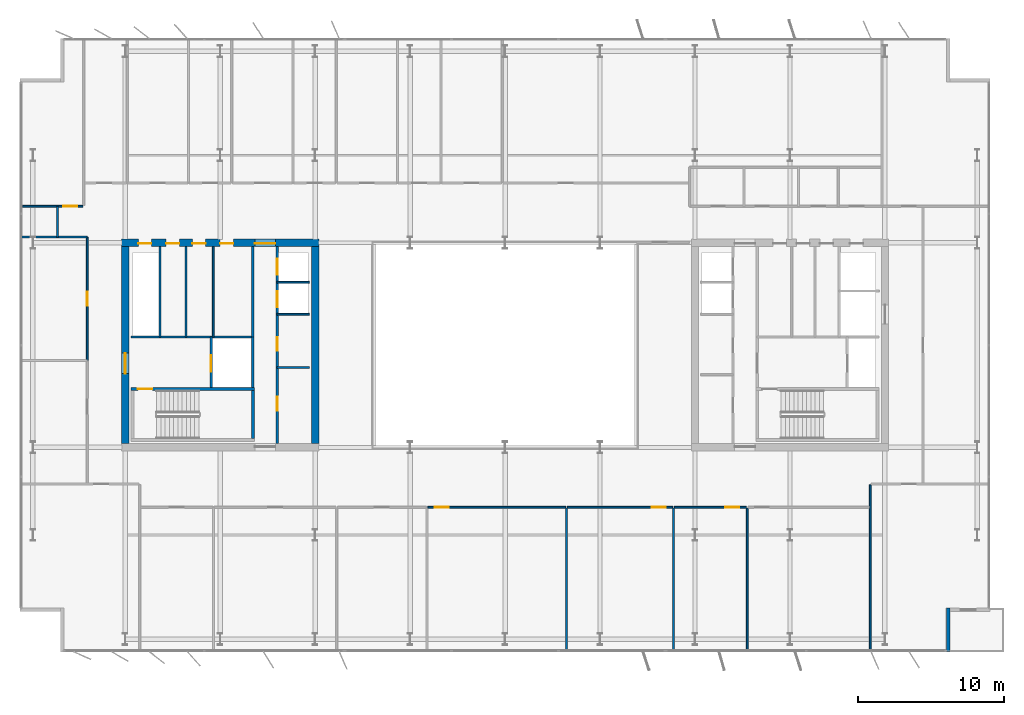
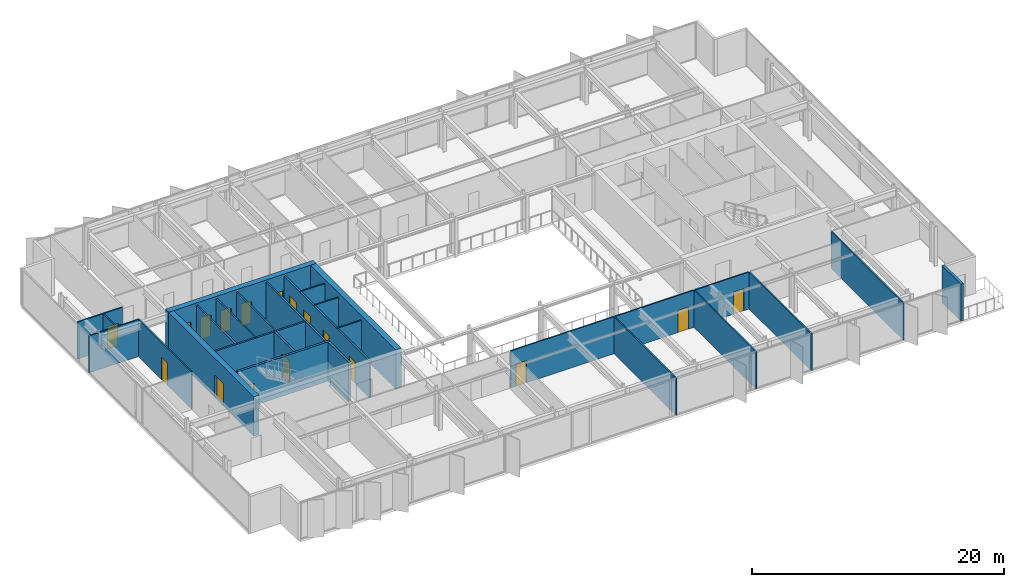
# One storey, part 17 of 24: 28 walls, 17 doors, 17 openings.
"""IFC4 building model written with IfcOpenShell, lengths in metres."""

from ifc_helpers import new_model, si_unit, direction, frame, frame_2d, origin, place, context, subcontext, project, spatial, rectangle, extrude, material, layer, layer_set, type_object, element, fill, save


model = new_model("IFC4")

# Units and contexts
model_context = context("Model", 3, precision=1e-05, world=origin(), true_north=direction((0.0, 1.0)))
body_context = subcontext(model_context, "Body", "Model", "MODEL_VIEW")
ifc_project = project(units=[si_unit("LENGTHUNIT", "METRE"), si_unit("AREAUNIT", "SQUARE_METRE"), si_unit("VOLUMEUNIT", "CUBIC_METRE"), si_unit("PLANEANGLEUNIT", "RADIAN"), si_unit("MASSUNIT", "GRAM", prefix="KILO")], contexts=[model_context])

# Site, building, storey
site_placement = place(None, origin())
site = spatial("IfcSite", under=ifc_project, at=site_placement, CompositionType="ELEMENT")
building_placement = place(site_placement, origin())
building = spatial("IfcBuilding", under=site, at=building_placement, Name="Putna Gate Headquarters", CompositionType="ELEMENT")
storey_placement = place(building_placement, frame((0.0, 0.0, 248.0)))
storey = spatial("IfcBuildingStorey", under=building, at=storey_placement, Name="L62", CompositionType="ELEMENT", Elevation=248.0)

# Wall, openings, doors
ifc_material_1 = material(Name="Concrete C50/60", Category="concrete")
ifc_layer_1 = layer(ifc_material_1, 0.5)
ifc_layer_set_1 = layer_set([ifc_layer_1], Name="Concrete C50/60")
wall_type_1 = type_object("IfcWallType", Name="WALL-CORE-500", PredefinedType="SHEAR", material=ifc_layer_set_1)
wall_1_placement = place(storey_placement, frame((12.75, 33.0, 0.0), z_axis=(0.0, 0.0, 1.0), x_axis=(1.0, 0.0, 0.0)))
wall_1 = element("IfcWall", 1, at=wall_1_placement, inside=storey, type_object=wall_type_1, Name="L62 WC Split Core Shear Wall N", PredefinedType="SHEAR", context=body_context, shape_type="SweptSolid", body=[
    extrude(rectangle(XDim=13.5, YDim=0.5, at=frame_2d((6.75, 0.0))), origin(), (0.0, 0.0, 1.0), 3.800048828125),
])
opening_1_placement = place(wall_1_placement, frame((1.14990234375, 0.0, 0.0)))
opening_1 = element("IfcOpeningElement", 2, at=opening_1_placement, cuts=wall_1, Name="Opening RD-90", PredefinedType="OPENING", context=body_context, shape_type="SweptSolid", body=[
    extrude(rectangle(XDim=0.89990234375, YDim=2.14990234375, at=frame_2d((0.449951171875, 1.074951171875))), frame((0.0, 0.260009765625, 0.0), z_axis=(0.0, -1.0, 0.0), x_axis=(1.0, 0.0, 0.0)), (0.0, 0.0, 1.0), 0.52001953125),
])
opening_2_placement = place(wall_1_placement, frame((3.050048828125, 0.0, 0.0)))
opening_2 = element("IfcOpeningElement", 3, at=opening_2_placement, cuts=wall_1, Name="Opening IDS-90", PredefinedType="OPENING", context=body_context, shape_type="SweptSolid", body=[
    extrude(rectangle(XDim=0.89990234375, YDim=2.14990234375, at=frame_2d((0.449951171875, 1.074951171875))), frame((0.0, 0.260009765625, 0.0), z_axis=(0.0, -1.0, 0.0), x_axis=(1.0, 0.0, 0.0)), (0.0, 0.0, 1.0), 0.52001953125),
])
opening_3_placement = place(wall_1_placement, frame((4.85009765625, 0.0, 0.0)))
opening_3 = element("IfcOpeningElement", 4, at=opening_3_placement, cuts=wall_1, Name="Opening IDS-90", PredefinedType="OPENING", context=body_context, shape_type="SweptSolid", body=[
    extrude(rectangle(XDim=0.89990234375, YDim=2.14990234375, at=frame_2d((0.449951171875, 1.074951171875))), frame((0.0, 0.260009765625, 0.0), z_axis=(0.0, -1.0, 0.0), x_axis=(1.0, 0.0, 0.0)), (0.0, 0.0, 1.0), 0.52001953125),
])
opening_4_placement = place(wall_1_placement, frame((6.75, 0.0, 0.0)))
opening_4 = element("IfcOpeningElement", 5, at=opening_4_placement, cuts=wall_1, Name="Opening IDS-90", PredefinedType="OPENING", context=body_context, shape_type="SweptSolid", body=[
    extrude(rectangle(XDim=0.89990234375, YDim=2.14990234375, at=frame_2d((0.449951171875, 1.074951171875))), frame((0.0, 0.260009765625, 0.0), z_axis=(0.0, -1.0, 0.0), x_axis=(1.0, 0.0, 0.0)), (0.0, 0.0, 1.0), 0.52001953125),
])
opening_5_placement = place(wall_1_placement, frame((9.1298828125, 0.0, 0.0)))
opening_5 = element("IfcOpeningElement", 6, at=opening_5_placement, cuts=wall_1, Name="Opening FDD-140", PredefinedType="OPENING", context=body_context, shape_type="SweptSolid", body=[
    extrude(rectangle(XDim=1.39990234375, YDim=2.199951171875, at=frame_2d((0.699951171875, 1.10009765625))), frame((0.0, 0.260009765625, 0.0), z_axis=(0.0, -1.0, 0.0), x_axis=(1.0, 0.0, 0.0)), (0.0, 0.0, 1.0), 0.52001953125),
])
ifc_material_2 = material(Name="Double steel fire door", Category="steel")
door_type_1 = type_object("IfcDoorType", Name="DOOR-FIRE-DBL-1400", OperationType="DOUBLE_DOOR_SINGLE_SWING", PredefinedType="DOOR", material=ifc_material_2)
door_1_placement = place(opening_5_placement, origin())
door_1 = element("IfcDoor", 7, at=door_1_placement, inside=storey, type_object=door_type_1, Name="L62 West Lift Lobby North Door", OperationType="DOUBLE_DOOR_SINGLE_SWING", OverallHeight=2.199951171875, OverallWidth=1.39990234375, PredefinedType="DOOR", context=body_context, shape_type="SweptSolid", body=[
    extrude(rectangle(XDim=1.39990234375, YDim=2.199951171875, at=frame_2d((0.699951171875, 1.10009765625))), frame((0.0, -0.02490234375, 0.0), z_axis=(0.0, -1.0, 0.0), x_axis=(1.0, 0.0, 0.0)), (0.0, 0.0, 1.0), 0.050048828125),
])
fill(opening_5, door_1)
ifc_material_3 = material(Name="Fire-rated utility door")
door_type_2 = type_object("IfcDoorType", Name="DOOR-INT-900", OperationType="NOTDEFINED", PredefinedType="DOOR", material=ifc_material_3)
door_2_placement = place(opening_2_placement, origin())
door_2 = element("IfcDoor", 8, at=door_2_placement, inside=storey, type_object=door_type_2, Name="L62 Janitor Cupboard Door", OperationType="SINGLE_SWING_LEFT", OverallHeight=2.14990234375, OverallWidth=0.89990234375, PredefinedType="DOOR", context=body_context, shape_type="SweptSolid", body=[
    extrude(rectangle(XDim=0.89990234375, YDim=2.14990234375, at=frame_2d((0.449951171875, 1.074951171875))), frame((0.0, -0.02490234375, 0.0), z_axis=(0.0, -1.0, 0.0), x_axis=(1.0, 0.0, 0.0)), (0.0, 0.0, 1.0), 0.050048828125),
])
fill(opening_2, door_2)
door_3_placement = place(opening_3_placement, origin())
door_3 = element("IfcDoor", 9, at=door_3_placement, inside=storey, type_object=door_type_2, Name="L62 IT Patch Plant Door", OperationType="SINGLE_SWING_RIGHT", OverallHeight=2.14990234375, OverallWidth=0.89990234375, PredefinedType="DOOR", context=body_context, shape_type="SweptSolid", body=[
    extrude(rectangle(XDim=0.89990234375, YDim=2.14990234375, at=frame_2d((0.449951171875, 1.074951171875))), frame((0.0, -0.02490234375, 0.0), z_axis=(0.0, -1.0, 0.0), x_axis=(1.0, 0.0, 0.0)), (0.0, 0.0, 1.0), 0.050048828125),
])
fill(opening_3, door_3)
door_4_placement = place(opening_4_placement, origin())
door_4 = element("IfcDoor", 10, at=door_4_placement, inside=storey, type_object=door_type_2, Name="L62 Building Records Store Door", OperationType="SINGLE_SWING_LEFT", OverallHeight=2.14990234375, OverallWidth=0.89990234375, PredefinedType="DOOR", context=body_context, shape_type="SweptSolid", body=[
    extrude(rectangle(XDim=0.89990234375, YDim=2.14990234375, at=frame_2d((0.449951171875, 1.074951171875))), frame((0.0, -0.02490234375, 0.0), z_axis=(0.0, -1.0, 0.0), x_axis=(1.0, 0.0, 0.0)), (0.0, 0.0, 1.0), 0.050048828125),
])
fill(opening_4, door_4)
ifc_material_4 = material(Name="Steel riser access fire door", Category="steel")
door_type_3 = type_object("IfcDoorType", Name="DOOR-RISER-900", OperationType="NOTDEFINED", PredefinedType="DOOR", material=ifc_material_4)
door_5_placement = place(opening_1_placement, origin())
door_5 = element("IfcDoor", 11, at=door_5_placement, inside=storey, type_object=door_type_3, Name="L62 West Riser Access Door", OperationType="SINGLE_SWING_RIGHT", OverallHeight=2.14990234375, OverallWidth=0.89990234375, PredefinedType="DOOR", context=body_context, shape_type="SweptSolid", body=[
    extrude(rectangle(XDim=0.89990234375, YDim=2.14990234375, at=frame_2d((0.449951171875, 1.074951171875))), frame((0.0, -0.02490234375, 0.0), z_axis=(0.0, -1.0, 0.0), x_axis=(1.0, 0.0, 0.0)), (0.0, 0.0, 1.0), 0.050048828125),
])
fill(opening_1, door_5)

# Wall, opening, door
wall_2_placement = place(storey_placement, frame((13.0, 19.25, 0.0), z_axis=(0.0, 0.0, 1.0), x_axis=(0.0, 1.0, 0.0)))
wall_2 = element("IfcWall", 12, at=wall_2_placement, inside=storey, type_object=wall_type_1, Name="L62 WC Split Core Shear Wall W", PredefinedType="SHEAR", context=body_context, shape_type="SweptSolid", body=[
    extrude(rectangle(XDim=13.5, YDim=0.5, at=frame_2d((6.75, 0.0))), origin(), (0.0, 0.0, 1.0), 3.800048828125),
])
opening_6_placement = place(wall_2_placement, frame((4.800048828125, 0.0, 0.0)))
opening_6 = element("IfcOpeningElement", 13, at=opening_6_placement, cuts=wall_2, Name="Opening FDD-140", PredefinedType="OPENING", context=body_context, shape_type="SweptSolid", body=[
    extrude(rectangle(XDim=1.39990234375, YDim=2.199951171875, at=frame_2d((0.699951171875, 1.10009765625))), frame((0.0, 0.260009765625, 0.0), z_axis=(0.0, -1.0, 0.0), x_axis=(1.0, 0.0, 0.0)), (0.0, 0.0, 1.0), 0.52001953125),
])
door_6_placement = place(opening_6_placement, origin())
door_6 = element("IfcDoor", 14, at=door_6_placement, inside=storey, type_object=door_type_1, Name="L62 West Firefighting Lobby Door", OperationType="DOUBLE_DOOR_SINGLE_SWING", OverallHeight=2.199951171875, OverallWidth=1.39990234375, PredefinedType="DOOR", context=body_context, shape_type="SweptSolid", body=[
    extrude(rectangle(XDim=1.39990234375, YDim=2.199951171875, at=frame_2d((0.699951171875, 1.10009765625))), frame((0.0, 0.02490234375, 0.0), z_axis=(0.0, -1.0, 0.0), x_axis=(1.0, 0.0, 0.0)), (0.0, 0.0, 1.0), 0.050048828125),
])
fill(opening_6, door_6)

# Walls
wall_3_placement = place(storey_placement, frame((26.0, 19.25, 0.0), z_axis=(0.0, 0.0, 1.0), x_axis=(0.0, 1.0, 0.0)))
element("IfcWall", 15, at=wall_3_placement, inside=storey, type_object=wall_type_1, Name="L62 WC Split Core Shear Wall E", PredefinedType="SHEAR", context=body_context, shape_type="SweptSolid", body=[
    extrude(rectangle(XDim=13.5, YDim=0.5, at=frame_2d((6.75, 0.0))), origin(), (0.0, 0.0, 1.0), 3.800048828125),
])
ifc_material_5 = material(Name="Precast concrete C40/50", Category="concrete")
ifc_layer_2 = layer(ifc_material_5, 0.239990234375)
ifc_layer_set_2 = layer_set([ifc_layer_2], Name="Precast concrete C40/50")
wall_type_2 = type_object("IfcWallType", Name="WALL-EXT-TERR-240", PredefinedType="STANDARD", material=ifc_layer_set_2)
wall_4_placement = place(storey_placement, frame((69.320068359375, 8.0, 0.0), z_axis=(0.0, 0.0, 1.0), x_axis=(0.0, -1.0, 0.0)))
element("IfcWall", 16, at=wall_4_placement, inside=storey, type_object=wall_type_2, Name="L62 Corner Notch Return Wall SE-V", PredefinedType="STANDARD", context=body_context, shape_type="SweptSolid", body=[
    extrude(rectangle(XDim=3.0, YDim=0.239990234375, at=frame_2d((1.5, 0.0))), origin(), (0.0, 0.0, 1.0), 3.580078125),
])
ifc_material_6 = material(Name="Acoustic gypsum board on metal stud")
ifc_layer_3 = layer(ifc_material_6, 0.1201171875)
ifc_layer_set_3 = layer_set([ifc_layer_3], Name="Acoustic gypsum board on metal stud")
wall_type_3 = type_object("IfcWallType", Name="WALL-PART-120", PredefinedType="PARTITIONING", material=ifc_layer_set_3)
for number, where, z_axis, x_axis, name in (
    (17, (43.21337890625, 5.02001953125, 0.0), (0.0, 0.0, 1.0), (0.0, 1.0, 0.0), "L62 Interior Wall PART-L62-SB-DIV-05"),
    (18, (50.52392578125, 5.02001953125, 0.0), (0.0, 0.0, 1.0), (0.0, 1.0, 0.0), "L62 Interior Wall PART-L62-SB-DIV-06"),
    (19, (55.5693359375, 5.02001953125, 0.0), (0.0, 0.0, 1.0), (0.0, 1.0, 0.0), "L62 Interior Wall PART-L62-SB-DIV-07"),
):
    element("IfcWall", number, at=place(storey_placement, frame(where, z_axis=z_axis, x_axis=x_axis)), inside=storey, type_object=wall_type_3, Name=name, PredefinedType="PARTITIONING", context=body_context, shape_type="SweptSolid", body=[
        extrude(rectangle(XDim=9.820068359375, YDim=0.1201171875, at=frame_2d((4.91015625, 0.0))), origin(), (0.0, 0.0, 1.0), 3.580078125),
    ])
wall_5_placement = place(storey_placement, frame((64.002685546875, 5.02001953125, 0.0), z_axis=(0.0, 0.0, 1.0), x_axis=(0.0, 1.0, 0.0)))
element("IfcWall", 20, at=wall_5_placement, inside=storey, type_object=wall_type_3, Name="L62 Interior Wall PART-L62-SB-DIV-08", PredefinedType="PARTITIONING", context=body_context, shape_type="SweptSolid", body=[
    extrude(rectangle(XDim=11.419921875, YDim=0.1201171875, at=frame_2d((5.7099609375, 0.0))), origin(), (0.0, 0.0, 1.0), 3.580078125),
])
ifc_material_7 = material(Name="Fire-rated shaftwall gypsum board on metal stud")
ifc_layer_4 = layer(ifc_material_7, 0.1201171875)
ifc_layer_set_4 = layer_set([ifc_layer_4], Name="Fire-rated shaftwall gypsum board on metal stud")
wall_type_4 = type_object("IfcWallType", Name="WALL-PART-120-EI120", PredefinedType="PARTITIONING", material=ifc_layer_set_4)
wall_6_placement = place(storey_placement, frame((23.39990234375, 30.31005859375, 0.0), z_axis=(0.0, 0.0, 1.0), x_axis=(1.0, 0.0, 0.0)))
element("IfcWall", 21, at=wall_6_placement, inside=storey, type_object=wall_type_4, Name="L62 Interior Wall CWINT-L62-WC-LF09-DIV", PredefinedType="PARTITIONING", context=body_context, shape_type="SweptSolid", body=[
    extrude(rectangle(XDim=2.2001953125, YDim=0.1201171875, at=frame_2d((1.10009765625, 0.0))), origin(), (0.0, 0.0, 1.0), 3.580078125),
])
ifc_material_8 = material(Name="Fire-rated gypsum board on metal stud")
ifc_layer_5 = layer(ifc_material_8, 0.1201171875)
ifc_layer_set_5 = layer_set([ifc_layer_5], Name="Fire-rated gypsum board on metal stud")
wall_type_5 = type_object("IfcWallType", Name="WALL-PART-120-RATED", PredefinedType="PARTITIONING", material=ifc_layer_set_5)
for number, where, z_axis, x_axis, name in (
    (22, (17.169921875, 26.56005859375, 0.0), (0.0, 0.0, 1.0), (0.0, 1.0, 0.0), "L62 Interior Wall CWINT-L62-WC-K2-D1"),
    (23, (19.02001953125, 26.56005859375, 0.0), (0.0, 0.0, 1.0), (0.0, 1.0, 0.0), "L62 Interior Wall CWINT-L62-WC-K2-D2"),
):
    element("IfcWall", number, at=place(storey_placement, frame(where, z_axis=z_axis, x_axis=x_axis)), inside=storey, type_object=wall_type_5, Name=name, PredefinedType="PARTITIONING", context=body_context, shape_type="SweptSolid", body=[
        extrude(rectangle(XDim=6.18994140625, YDim=0.1201171875, at=frame_2d((3.094970703125, 0.0))), origin(), (0.0, 0.0, 1.0), 3.580078125),
    ])
for number, where, z_axis, x_axis, name in (
    (24, (23.39990234375, 24.469970703125, 0.0), (0.0, 0.0, 1.0), (1.0, 0.0, 0.0), "L62 Interior Wall CWINT-L62-WC-REUSE-DIV"),
    (25, (23.39990234375, 28.1201171875, 0.0), (0.0, 0.0, 1.0), (1.0, 0.0, 0.0), "L62 Interior Wall CWINT-L62-WC-LF06-DIV"),
):
    element("IfcWall", number, at=place(storey_placement, frame(where, z_axis=z_axis, x_axis=x_axis)), inside=storey, type_object=wall_type_5, Name=name, PredefinedType="PARTITIONING", context=body_context, shape_type="SweptSolid", body=[
        extrude(rectangle(XDim=2.2001953125, YDim=0.1201171875, at=frame_2d((1.10009765625, 0.0))), origin(), (0.0, 0.0, 1.0), 3.580078125),
    ])
wall_7_placement = place(storey_placement, frame((8.369873046875, 33.39990234375, 0.0), z_axis=(0.0, 0.0, 1.0), x_axis=(0.0, 1.0, 0.0)))
element("IfcWall", 26, at=wall_7_placement, inside=storey, type_object=wall_type_5, Name="L62 Interior Wall PART-L62-CORRN-CAPW", PredefinedType="PARTITIONING", context=body_context, shape_type="SweptSolid", body=[
    extrude(rectangle(XDim=2.10009765625, YDim=0.1201171875, at=frame_2d((1.050048828125, 0.0))), origin(), (0.0, 0.0, 1.0), 3.580078125),
])

# Wall, opening, door
wall_8_placement = place(storey_placement, frame((5.97998046875, 35.5, 0.0), z_axis=(0.0, 0.0, 1.0), x_axis=(1.0, 0.0, 0.0)))
wall_8 = element("IfcWall", 27, at=wall_8_placement, inside=storey, type_object=wall_type_5, Name="L62 Interior Wall PART-L62-NB-CW-01", PredefinedType="PARTITIONING", context=body_context, shape_type="SweptSolid", body=[
    extrude(rectangle(XDim=4.1298828125, YDim=0.1201171875, at=frame_2d((2.06494140625, 0.0))), origin(), (0.0, 0.0, 1.0), 3.580078125),
])
opening_7_placement = place(wall_8_placement, frame((2.784912109375, 0.0, 0.0)))
opening_7 = element("IfcOpeningElement", 28, at=opening_7_placement, cuts=wall_8, Name="Opening FD-95", PredefinedType="OPENING", context=body_context, shape_type="SweptSolid", body=[
    extrude(rectangle(XDim=0.949951171875, YDim=2.14990234375, at=frame_2d((0.47509765625, 1.074951171875))), frame((0.0, 0.070068359375, 0.0), z_axis=(0.0, -1.0, 0.0), x_axis=(1.0, 0.0, 0.0)), (0.0, 0.0, 1.0), 0.14013671875),
])
ifc_material_9 = material(Name="Acoustic timber fire door", Category="wood")
door_type_4 = type_object("IfcDoorType", Name="DOOR-FIRE-950", OperationType="NOTDEFINED", PredefinedType="DOOR", material=ifc_material_9)
door_7_placement = place(opening_7_placement, origin())
door_7 = element("IfcDoor", 29, at=door_7_placement, inside=storey, type_object=door_type_4, Name="L62 Cellular Office 1 Door", OperationType="SINGLE_SWING_RIGHT", OverallHeight=2.14990234375, OverallWidth=0.949951171875, PredefinedType="DOOR", context=body_context, shape_type="SweptSolid", body=[
    extrude(rectangle(XDim=0.949951171875, YDim=2.14990234375, at=frame_2d((0.47509765625, 1.074951171875))), frame((0.0, 0.02490234375, 0.0), z_axis=(0.0, -1.0, 0.0), x_axis=(1.0, 0.0, 0.0)), (0.0, 0.0, 1.0), 0.050048828125),
])
fill(opening_7, door_7)

wall_9_placement = place(storey_placement, frame((33.71728515625, 14.89990234375, 0.0), z_axis=(0.0, 0.0, 1.0), x_axis=(1.0, 0.0, 0.0)))
wall_9 = element("IfcWall", 30, at=wall_9_placement, inside=storey, type_object=wall_type_5, Name="L62 Interior Wall PART-L62-SB-CW-05", PredefinedType="PARTITIONING", context=body_context, shape_type="SweptSolid", body=[
    extrude(rectangle(XDim=9.43603515625, YDim=0.1201171875, at=frame_2d((4.718017578125, 0.0))), origin(), (0.0, 0.0, 1.0), 3.580078125),
])
opening_8_placement = place(wall_9_placement, frame((0.47998046875, 0.0, 0.0)))
opening_8 = element("IfcOpeningElement", 31, at=opening_8_placement, cuts=wall_9, Name="Opening FD-95", PredefinedType="OPENING", context=body_context, shape_type="SweptSolid", body=[
    extrude(rectangle(XDim=0.949951171875, YDim=2.14990234375, at=frame_2d((0.47509765625, 1.074951171875))), frame((0.0, 0.070068359375, 0.0), z_axis=(0.0, -1.0, 0.0), x_axis=(1.0, 0.0, 0.0)), (0.0, 0.0, 1.0), 0.14013671875),
])
door_8_placement = place(opening_8_placement, origin())
door_8 = element("IfcDoor", 32, at=door_8_placement, inside=storey, type_object=door_type_4, Name="L62 Collaborative Breakout Lounge 1 Door", OperationType="SINGLE_SWING_LEFT", OverallHeight=2.14990234375, OverallWidth=0.949951171875, PredefinedType="DOOR", context=body_context, shape_type="SweptSolid", body=[
    extrude(rectangle(XDim=0.949951171875, YDim=2.14990234375, at=frame_2d((0.47509765625, 1.074951171875))), frame((0.0, 0.02490234375, 0.0), z_axis=(0.0, -1.0, 0.0), x_axis=(1.0, 0.0, 0.0)), (0.0, 0.0, 1.0), 0.050048828125),
])
fill(opening_8, door_8)

wall_10_placement = place(storey_placement, frame((43.2734375, 14.89990234375, 0.0), z_axis=(0.0, 0.0, 1.0), x_axis=(1.0, 0.0, 0.0)))
wall_10 = element("IfcWall", 33, at=wall_10_placement, inside=storey, type_object=wall_type_5, Name="L62 Interior Wall PART-L62-SB-CW-06", PredefinedType="PARTITIONING", context=body_context, shape_type="SweptSolid", body=[
    extrude(rectangle(XDim=7.190673828125, YDim=0.1201171875, at=frame_2d((3.59521484375, 0.0))), origin(), (0.0, 0.0, 1.0), 3.580078125),
])
opening_9_placement = place(wall_10_placement, frame((5.760498046875, 0.0, 0.0)))
opening_9 = element("IfcOpeningElement", 34, at=opening_9_placement, cuts=wall_10, Name="Opening FD-95", PredefinedType="OPENING", context=body_context, shape_type="SweptSolid", body=[
    extrude(rectangle(XDim=0.949951171875, YDim=2.14990234375, at=frame_2d((0.47509765625, 1.074951171875))), frame((0.0, 0.070068359375, 0.0), z_axis=(0.0, -1.0, 0.0), x_axis=(1.0, 0.0, 0.0)), (0.0, 0.0, 1.0), 0.14013671875),
])
door_9_placement = place(opening_9_placement, origin())
door_9 = element("IfcDoor", 35, at=door_9_placement, inside=storey, type_object=door_type_4, Name="L62 Quiet Wellness Focus Studio 1 Door", OperationType="SINGLE_SWING_RIGHT", OverallHeight=2.14990234375, OverallWidth=0.949951171875, PredefinedType="DOOR", context=body_context, shape_type="SweptSolid", body=[
    extrude(rectangle(XDim=0.949951171875, YDim=2.14990234375, at=frame_2d((0.47509765625, 1.074951171875))), frame((0.0, 0.02490234375, 0.0), z_axis=(0.0, -1.0, 0.0), x_axis=(1.0, 0.0, 0.0)), (0.0, 0.0, 1.0), 0.050048828125),
])
fill(opening_9, door_9)

wall_11_placement = place(storey_placement, frame((50.583984375, 14.89990234375, 0.0), z_axis=(0.0, 0.0, 1.0), x_axis=(1.0, 0.0, 0.0)))
wall_11 = element("IfcWall", 36, at=wall_11_placement, inside=storey, type_object=wall_type_5, Name="L62 Interior Wall PART-L62-SB-CW-07", PredefinedType="PARTITIONING", context=body_context, shape_type="SweptSolid", body=[
    extrude(rectangle(XDim=4.925537109375, YDim=0.1201171875, at=frame_2d((2.462890625, 0.0))), origin(), (0.0, 0.0, 1.0), 3.580078125),
])
opening_10_placement = place(wall_11_placement, frame((3.495361328125, 0.0, 0.0)))
opening_10 = element("IfcOpeningElement", 37, at=opening_10_placement, cuts=wall_11, Name="Opening FD-95", PredefinedType="OPENING", context=body_context, shape_type="SweptSolid", body=[
    extrude(rectangle(XDim=0.949951171875, YDim=2.14990234375, at=frame_2d((0.47509765625, 1.074951171875))), frame((0.0, 0.070068359375, 0.0), z_axis=(0.0, -1.0, 0.0), x_axis=(1.0, 0.0, 0.0)), (0.0, 0.0, 1.0), 0.14013671875),
])
door_10_placement = place(opening_10_placement, origin())
door_10 = element("IfcDoor", 38, at=door_10_placement, inside=storey, type_object=door_type_4, Name="L62 Quiet Wellness Focus Studio 2 Door", OperationType="SINGLE_SWING_LEFT", OverallHeight=2.14990234375, OverallWidth=0.949951171875, PredefinedType="DOOR", context=body_context, shape_type="SweptSolid", body=[
    extrude(rectangle(XDim=0.949951171875, YDim=2.14990234375, at=frame_2d((0.47509765625, 1.074951171875))), frame((0.0, 0.02490234375, 0.0), z_axis=(0.0, -1.0, 0.0), x_axis=(1.0, 0.0, 0.0)), (0.0, 0.0, 1.0), 0.050048828125),
])
fill(opening_10, door_10)

# Wall
wall_12_placement = place(storey_placement, frame((5.820068359375, 33.39990234375, 0.0), z_axis=(0.0, 0.0, 1.0), x_axis=(1.0, 0.0, 0.0)))
element("IfcWall", 39, at=wall_12_placement, inside=storey, type_object=wall_type_5, Name="L62 Interior Wall PART-L62-WW-N-BOUND", PredefinedType="PARTITIONING", context=body_context, shape_type="SweptSolid", body=[
    extrude(rectangle(XDim=4.579833984375, YDim=0.1201171875, at=frame_2d((2.2900390625, 0.0))), origin(), (0.0, 0.0, 1.0), 3.580078125),
])

# Wall, opening, door
wall_13_placement = place(storey_placement, frame((10.39990234375, 24.949951171875, 0.0), z_axis=(0.0, 0.0, 1.0), x_axis=(0.0, 1.0, 0.0)))
wall_13 = element("IfcWall", 40, at=wall_13_placement, inside=storey, type_object=wall_type_5, Name="L62 Interior Wall PART-L62-WW-CW-2", PredefinedType="PARTITIONING", context=body_context, shape_type="SweptSolid", body=[
    extrude(rectangle(XDim=8.449951171875, YDim=0.1201171875, at=frame_2d((4.22509765625, 0.0))), origin(), (0.0, 0.0, 1.0), 3.580078125),
])
opening_11_placement = place(wall_13_placement, frame((3.75, 0.0, 0.0)))
opening_11 = element("IfcOpeningElement", 41, at=opening_11_placement, cuts=wall_13, Name="Opening FD-95", PredefinedType="OPENING", context=body_context, shape_type="SweptSolid", body=[
    extrude(rectangle(XDim=0.949951171875, YDim=2.14990234375, at=frame_2d((0.47509765625, 1.074951171875))), frame((0.0, 0.070068359375, 0.0), z_axis=(0.0, -1.0, 0.0), x_axis=(1.0, 0.0, 0.0)), (0.0, 0.0, 1.0), 0.14013671875),
])
door_11_placement = place(opening_11_placement, origin())
door_11 = element("IfcDoor", 42, at=door_11_placement, inside=storey, type_object=door_type_4, Name="L62 West Project Meeting Room 2 Door", OperationType="SINGLE_SWING_LEFT", OverallHeight=2.14990234375, OverallWidth=0.949951171875, PredefinedType="DOOR", context=body_context, shape_type="SweptSolid", body=[
    extrude(rectangle(XDim=0.949951171875, YDim=2.14990234375, at=frame_2d((0.47509765625, 1.074951171875))), frame((0.0, 0.02490234375, 0.0), z_axis=(0.0, -1.0, 0.0), x_axis=(1.0, 0.0, 0.0)), (0.0, 0.0, 1.0), 0.050048828125),
])
fill(opening_11, door_11)

# Wall
ifc_material_10 = material(Name="Concrete C40/50", Category="concrete")
ifc_layer_6 = layer(ifc_material_10, 0.159912109375)
ifc_layer_set_6 = layer_set([ifc_layer_6], Name="Concrete C40/50")
wall_type_6 = type_object("IfcWallType", Name="WALL-SHAFT-160", PredefinedType="STANDARD", material=ifc_layer_set_6)
wall_14_placement = place(storey_placement, frame((21.739990234375, 23.090087890625, 0.0), z_axis=(0.0, 0.0, 1.0), x_axis=(0.0, 1.0, 0.0)))
element("IfcWall", 43, at=wall_14_placement, inside=storey, type_object=wall_type_6, Name="L62 Interior Wall CWINT-L62-WC-FFL-E", PredefinedType="STANDARD", context=body_context, shape_type="SweptSolid", body=[
    extrude(rectangle(XDim=3.469970703125, YDim=0.159912109375, at=frame_2d((1.73486328125, 0.0))), origin(), (0.0, 0.0, 1.0), 3.580078125),
])

# Wall, opening, door
wall_15_placement = place(storey_placement, frame((18.8798828125, 23.090087890625, 0.0), z_axis=(0.0, 0.0, 1.0), x_axis=(0.0, 1.0, 0.0)))
wall_15 = element("IfcWall", 44, at=wall_15_placement, inside=storey, type_object=wall_type_6, Name="L62 Interior Wall CWINT-L62-WC-LF13-W", PredefinedType="STANDARD", context=body_context, shape_type="SweptSolid", body=[
    extrude(rectangle(XDim=3.469970703125, YDim=0.159912109375, at=frame_2d((1.73486328125, 0.0))), origin(), (0.0, 0.0, 1.0), 3.580078125),
])
opening_12_placement = place(wall_15_placement, frame((1.10009765625, 0.0, 0.0)))
opening_12 = element("IfcOpeningElement", 45, at=opening_12_placement, cuts=wall_15, Name="Opening LD-1", PredefinedType="OPENING", context=body_context, shape_type="SweptSolid", body=[
    extrude(rectangle(XDim=1.10009765625, YDim=2.199951171875, at=frame_2d((0.550048828125, 1.10009765625))), frame((0.0, 0.08984375, 0.0), z_axis=(0.0, -1.0, 0.0), x_axis=(1.0, 0.0, 0.0)), (0.0, 0.0, 1.0), 0.179931640625),
])
ifc_material_11 = material(Name="Brushed bronze stainless lift landing door")
door_type_5 = type_object("IfcDoorType", Name="DOOR-LIFT-1100", OperationType="DOUBLE_DOOR_SLIDING", PredefinedType="DOOR", material=ifc_material_11)
door_12_placement = place(opening_12_placement, origin())
door_12 = element("IfcDoor", 46, at=door_12_placement, inside=storey, type_object=door_type_5, Name="L62 Lift Landing Door LD-13", OperationType="DOUBLE_DOOR_SLIDING", OverallHeight=2.199951171875, OverallWidth=1.10009765625, PredefinedType="DOOR", context=body_context, shape_type="SweptSolid", body=[
    extrude(rectangle(XDim=1.10009765625, YDim=2.199951171875, at=frame_2d((0.550048828125, 1.10009765625))), frame((0.0, 0.02490234375, 0.0), z_axis=(0.0, -1.0, 0.0), x_axis=(1.0, 0.0, 0.0)), (0.0, 0.0, 1.0), 0.050048828125),
])
fill(opening_12, door_12)

# Walls
wall_16_placement = place(storey_placement, frame((13.39990234375, 26.56005859375, 0.0), z_axis=(0.0, 0.0, 1.0), x_axis=(1.0, 0.0, 0.0)))
element("IfcWall", 47, at=wall_16_placement, inside=storey, type_object=wall_type_6, Name="L62 Interior Wall CWINT-L62-WC-FFL-N", PredefinedType="STANDARD", context=body_context, shape_type="SweptSolid", body=[
    extrude(rectangle(XDim=8.340087890625, YDim=0.159912109375, at=frame_2d((4.169921875, 0.0))), origin(), (0.0, 0.0, 1.0), 3.580078125),
])
for number, where, z_axis, x_axis, name in (
    (48, (15.3798828125, 26.56005859375, 0.0), (0.0, 0.0, 1.0), (0.0, 1.0, 0.0), "L62 Interior Wall CWINT-L62-WC-RISER-E"),
    (49, (21.739990234375, 26.56005859375, 0.0), (0.0, 0.0, 1.0), (0.0, 1.0, 0.0), "L62 Interior Wall CWINT-L62-WC-LOB-W"),
):
    element("IfcWall", number, at=place(storey_placement, frame(where, z_axis=z_axis, x_axis=x_axis)), inside=storey, type_object=wall_type_6, Name=name, PredefinedType="STANDARD", context=body_context, shape_type="SweptSolid", body=[
        extrude(rectangle(XDim=6.18994140625, YDim=0.159912109375, at=frame_2d((3.094970703125, 0.0))), origin(), (0.0, 0.0, 1.0), 3.580078125),
    ])

# Wall, openings, doors
wall_17_placement = place(storey_placement, frame((23.39990234375, 19.25, 0.0), z_axis=(0.0, 0.0, 1.0), x_axis=(0.0, 1.0, 0.0)))
wall_17 = element("IfcWall", 50, at=wall_17_placement, inside=storey, type_object=wall_type_6, Name="L62 Interior Wall CWINT-L62-WC-PL-WALL", PredefinedType="STANDARD", context=body_context, shape_type="SweptSolid", body=[
    extrude(rectangle(XDim=13.5, YDim=0.159912109375, at=frame_2d((6.75, 0.0))), origin(), (0.0, 0.0, 1.0), 3.580078125),
])
opening_13_placement = place(wall_17_placement, frame((2.25, 0.0, 0.0)))
opening_13 = element("IfcOpeningElement", 51, at=opening_13_placement, cuts=wall_17, Name="Opening IDS-95", PredefinedType="OPENING", context=body_context, shape_type="SweptSolid", body=[
    extrude(rectangle(XDim=0.949951171875, YDim=2.14990234375, at=frame_2d((0.47509765625, 1.074951171875))), frame((0.0, 0.08984375, 0.0), z_axis=(0.0, -1.0, 0.0), x_axis=(1.0, 0.0, 0.0)), (0.0, 0.0, 1.0), 0.179931640625),
])
opening_14_placement = place(wall_17_placement, frame((6.35009765625, 0.0, 0.0)))
opening_14 = element("IfcOpeningElement", 52, at=opening_14_placement, cuts=wall_17, Name="Opening IDS-95", PredefinedType="OPENING", context=body_context, shape_type="SweptSolid", body=[
    extrude(rectangle(XDim=0.949951171875, YDim=2.14990234375, at=frame_2d((0.47509765625, 1.074951171875))), frame((0.0, 0.08984375, 0.0), z_axis=(0.0, -1.0, 0.0), x_axis=(1.0, 0.0, 0.0)), (0.0, 0.0, 1.0), 0.179931640625),
])
opening_15_placement = place(wall_17_placement, frame((9.35009765625, 0.0, 0.0)))
opening_15 = element("IfcOpeningElement", 53, at=opening_15_placement, cuts=wall_17, Name="Opening LD-1", PredefinedType="OPENING", context=body_context, shape_type="SweptSolid", body=[
    extrude(rectangle(XDim=1.10009765625, YDim=2.199951171875, at=frame_2d((0.550048828125, 1.10009765625))), frame((0.0, 0.08984375, 0.0), z_axis=(0.0, -1.0, 0.0), x_axis=(1.0, 0.0, 0.0)), (0.0, 0.0, 1.0), 0.179931640625),
])
opening_16_placement = place(wall_17_placement, frame((11.550048828125, 0.0, 0.0)))
opening_16 = element("IfcOpeningElement", 54, at=opening_16_placement, cuts=wall_17, Name="Opening LD-1", PredefinedType="OPENING", context=body_context, shape_type="SweptSolid", body=[
    extrude(rectangle(XDim=1.10009765625, YDim=2.199951171875, at=frame_2d((0.550048828125, 1.10009765625))), frame((0.0, 0.08984375, 0.0), z_axis=(0.0, -1.0, 0.0), x_axis=(1.0, 0.0, 0.0)), (0.0, 0.0, 1.0), 0.179931640625),
])
ifc_material_12 = material(Name="Fire-rated service timber door", Category="wood")
door_type_6 = type_object("IfcDoorType", Name="DOOR-INT-950", OperationType="NOTDEFINED", PredefinedType="DOOR", material=ifc_material_12)
door_13_placement = place(opening_13_placement, origin())
door_13 = element("IfcDoor", 55, at=door_13_placement, inside=storey, type_object=door_type_6, Name="L62 Tenant IT Hub Door", OperationType="SINGLE_SWING_LEFT", OverallHeight=2.14990234375, OverallWidth=0.949951171875, PredefinedType="DOOR", context=body_context, shape_type="SweptSolid", body=[
    extrude(rectangle(XDim=0.949951171875, YDim=2.14990234375, at=frame_2d((0.47509765625, 1.074951171875))), frame((0.0, 0.02490234375, 0.0), z_axis=(0.0, -1.0, 0.0), x_axis=(1.0, 0.0, 0.0)), (0.0, 0.0, 1.0), 0.050048828125),
])
fill(opening_13, door_13)
door_14_placement = place(opening_14_placement, origin())
door_14 = element("IfcDoor", 56, at=door_14_placement, inside=storey, type_object=door_type_6, Name="L62 Records Vault Door", OperationType="SINGLE_SWING_RIGHT", OverallHeight=2.14990234375, OverallWidth=0.949951171875, PredefinedType="DOOR", context=body_context, shape_type="SweptSolid", body=[
    extrude(rectangle(XDim=0.949951171875, YDim=2.14990234375, at=frame_2d((0.47509765625, 1.074951171875))), frame((0.0, 0.02490234375, 0.0), z_axis=(0.0, -1.0, 0.0), x_axis=(1.0, 0.0, 0.0)), (0.0, 0.0, 1.0), 0.050048828125),
])
fill(opening_14, door_14)
door_15_placement = place(opening_15_placement, origin())
door_15 = element("IfcDoor", 57, at=door_15_placement, inside=storey, type_object=door_type_5, Name="L62 Lift Landing Door LD-09", OperationType="DOUBLE_DOOR_SLIDING", OverallHeight=2.199951171875, OverallWidth=1.10009765625, PredefinedType="DOOR", context=body_context, shape_type="SweptSolid", body=[
    extrude(rectangle(XDim=1.10009765625, YDim=2.199951171875, at=frame_2d((0.550048828125, 1.10009765625))), frame((0.0, 0.02490234375, 0.0), z_axis=(0.0, -1.0, 0.0), x_axis=(1.0, 0.0, 0.0)), (0.0, 0.0, 1.0), 0.050048828125),
])
fill(opening_15, door_15)
door_16_placement = place(opening_16_placement, origin())
door_16 = element("IfcDoor", 58, at=door_16_placement, inside=storey, type_object=door_type_5, Name="L62 Lift Landing Door LD-10", OperationType="DOUBLE_DOOR_SLIDING", OverallHeight=2.199951171875, OverallWidth=1.10009765625, PredefinedType="DOOR", context=body_context, shape_type="SweptSolid", body=[
    extrude(rectangle(XDim=1.10009765625, YDim=2.199951171875, at=frame_2d((0.550048828125, 1.10009765625))), frame((0.0, 0.02490234375, 0.0), z_axis=(0.0, -1.0, 0.0), x_axis=(1.0, 0.0, 0.0)), (0.0, 0.0, 1.0), 0.050048828125),
])
fill(opening_16, door_16)

# Wall, opening, door
ifc_layer_7 = layer(ifc_material_10, 0.199951171875)
ifc_layer_set_7 = layer_set([ifc_layer_7], Name="Concrete C40/50")
wall_type_7 = type_object("IfcWallType", Name="WALL-SHAFT-RC200", PredefinedType="SHEAR", material=ifc_layer_set_7)
wall_18_placement = place(storey_placement, frame((13.409912109375, 22.989990234375, 0.0), z_axis=(0.0, 0.0, 1.0), x_axis=(1.0, 0.0, 0.0)))
wall_18 = element("IfcWall", 59, at=wall_18_placement, inside=storey, type_object=wall_type_7, Name="L62 Stair ST1 Structural Shaft Wall N", PredefinedType="SHEAR", context=body_context, shape_type="SweptSolid", body=[
    extrude(rectangle(XDim=8.43017578125, YDim=0.199951171875, at=frame_2d((4.215087890625, 0.0))), origin(), (0.0, 0.0, 1.0), 3.800048828125),
])
opening_17_placement = place(wall_18_placement, frame((0.449951171875, 0.0, 0.0)))
opening_17 = element("IfcOpeningElement", 60, at=opening_17_placement, cuts=wall_18, Name="Opening FD-100", PredefinedType="OPENING", context=body_context, shape_type="SweptSolid", body=[
    extrude(rectangle(XDim=1.0, YDim=2.14990234375, at=frame_2d((0.5, 1.074951171875))), frame((0.0, 0.10986328125, 0.0), z_axis=(0.0, -1.0, 0.0), x_axis=(1.0, 0.0, 0.0)), (0.0, 0.0, 1.0), 0.219970703125),
])
ifc_material_13 = material(Name="Powder-coated steel fire door", Category="steel")
door_type_7 = type_object("IfcDoorType", Name="DOOR-FIRE-1000", OperationType="NOTDEFINED", PredefinedType="DOOR", material=ifc_material_13)
door_17_placement = place(opening_17_placement, origin())
door_17 = element("IfcDoor", 61, at=door_17_placement, inside=storey, type_object=door_type_7, Name="L62 Stair ST1 Fire Door", OperationType="SINGLE_SWING_LEFT", OverallHeight=2.14990234375, OverallWidth=1.0, PredefinedType="DOOR", context=body_context, shape_type="SweptSolid", body=[
    extrude(rectangle(XDim=1.0, YDim=2.14990234375, at=frame_2d((0.5, 1.074951171875))), frame((0.0, 0.02490234375, 0.0), z_axis=(0.0, -1.0, 0.0), x_axis=(1.0, 0.0, 0.0)), (0.0, 0.0, 1.0), 0.050048828125),
])
fill(opening_17, door_17)

# Wall
wall_19_placement = place(storey_placement, frame((21.739990234375, 19.610107421875, 0.0), z_axis=(0.0, 0.0, 1.0), x_axis=(0.0, 1.0, 0.0)))
element("IfcWall", 62, at=wall_19_placement, inside=storey, type_object=wall_type_7, Name="L62 Stair ST1 Structural Shaft Wall E", PredefinedType="SHEAR", context=body_context, shape_type="SweptSolid", body=[
    extrude(rectangle(XDim=3.27978515625, YDim=0.199951171875, at=frame_2d((1.639892578125, 0.0))), origin(), (0.0, 0.0, 1.0), 3.800048828125),
])

save(model, "model.ifc")
